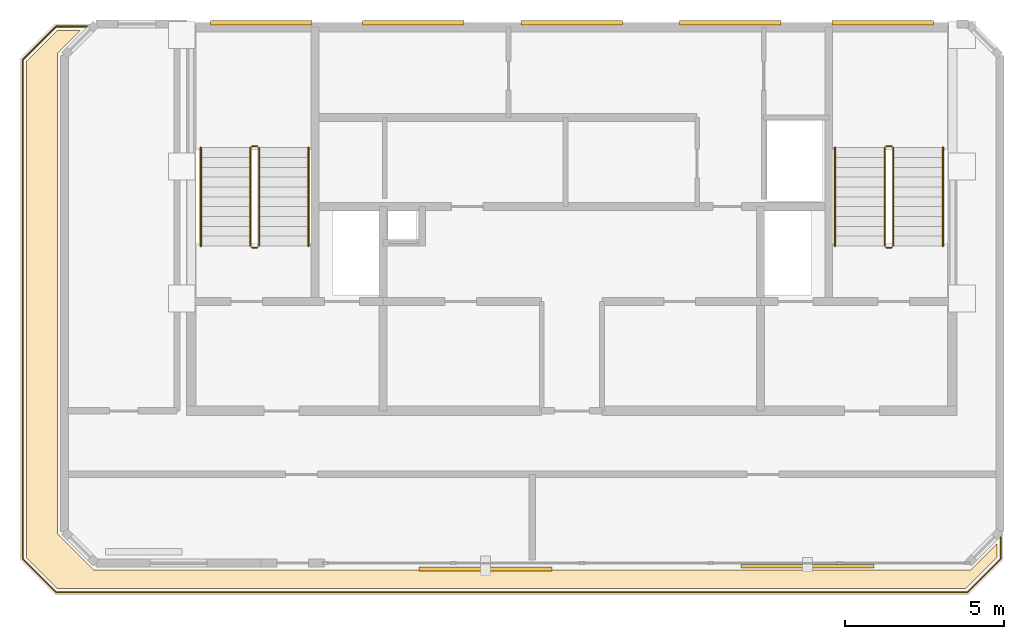
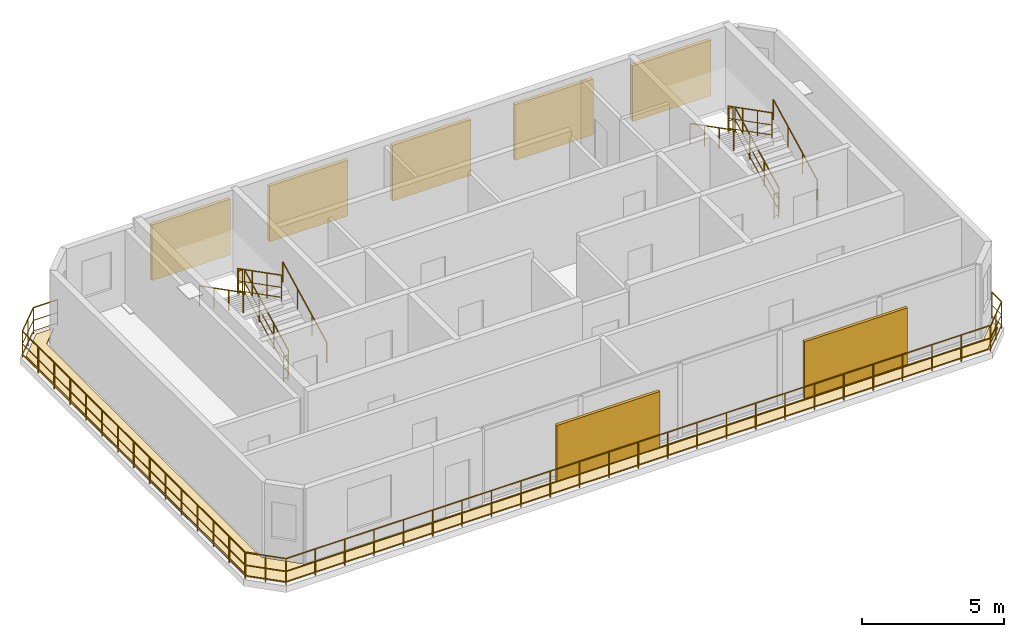
# One storey, part 6 of 6: 14 railings, 7 shading devices, 1 covering.
"""IFC4 building model written with IfcOpenShell, lengths in metres."""

import ifcopenshell
import ifcopenshell.guid

model = None  # the IFC model being written
_history = None  # IfcOwnerHistory: only IFC2X3 demands one
_inside = {}  # id of a spatial element -> (the spatial element, [elements in it])
_under = {}  # id of a project, library or spatial element -> (it, [spatial elements below it])
_declared = {}  # id of a project -> (the project, [libraries it declares])
_typed = {}  # id of a type object -> (the type object, [elements of that type])
_made_of = {}  # id of a material, layer set ... -> (it, [elements and type objects made of it])


def new_model(schema):
    """Start an empty IFC model of exactly this schema.

    Asked for "IFC4X3", IfcOpenShell would pick the latest addendum, in which some entities
    have other attributes; the version numbers below select the first issue.
    IFC2X3 requires an IfcOwnerHistory on every rooted entity: one is made here for all.
    """
    global model, _history
    if schema == "IFC4X3":
        model = ifcopenshell.file(schema_version=(4, 3, 0, 0))
    else:
        model = ifcopenshell.file(schema=schema)
    _inside.clear()
    _under.clear()
    _declared.clear()
    _typed.clear()
    _made_of.clear()
    _history = None
    if model.schema == "IFC2X3":
        org = make("IfcOrganization", Name="unknown")
        user = make(
            "IfcPersonAndOrganization",
            ThePerson=make("IfcPerson", FamilyName="unknown"),
            TheOrganization=org,
        )
        app = make(
            "IfcApplication",
            ApplicationDeveloper=org,
            Version="unknown",
            ApplicationFullName="unknown",
            ApplicationIdentifier="unknown",
        )
        _history = make(
            "IfcOwnerHistory",
            OwningUser=user,
            OwningApplication=app,
            ChangeAction="ADDED",
            CreationDate=0,
        )
    return model


def make(cls, **values):
    """One entity of the class cls with the attributes given. An attribute that is None is left unset."""
    return model.create_entity(
        cls, **{name: value for name, value in values.items() if value is not None}
    )


def rooted(cls, **values):
    """An entity with a GlobalId (a new one), such as an element, a storey or a relation."""
    return make(cls, GlobalId=ifcopenshell.guid.new(), OwnerHistory=_history, **values)


def si_unit(unit_type, name, prefix=None):
    """IfcSIUnit, for example si_unit("LENGTHUNIT", "METRE", prefix="MILLI")."""
    return make("IfcSIUnit", UnitType=unit_type, Prefix=prefix, Name=name)


def assignment(units):
    """IfcUnitAssignment: the units of a project."""
    return None if units is None else make("IfcUnitAssignment", Units=units)


def point(xyz):
    """IfcCartesianPoint."""
    return None if xyz is None else make("IfcCartesianPoint", Coordinates=xyz)


def direction(xyz):
    """IfcDirection."""
    return None if xyz is None else make("IfcDirection", DirectionRatios=xyz)


def frame(location, z_axis=None, x_axis=None):
    """IfcAxis2Placement3D, a coordinate frame: its origin and axes. An axis left out is left unset."""
    return make(
        "IfcAxis2Placement3D",
        Location=point(location),
        Axis=direction(z_axis),
        RefDirection=direction(x_axis),
    )


def frame_2d(location, x_axis=None):
    """IfcAxis2Placement2D, a coordinate frame in the plane: its origin and x axis."""
    return make(
        "IfcAxis2Placement2D", Location=point(location), RefDirection=direction(x_axis)
    )


def origin():
    """The frame at (0, 0, 0) with its axes left unset."""
    return frame((0.0, 0.0, 0.0))


def origin_2d():
    """The frame at (0, 0) in the plane with its x axis left unset."""
    return frame_2d((0.0, 0.0))


def place(relative_to, where):
    """IfcLocalPlacement: puts the frame where relative to a parent placement (None: the world)."""
    return make(
        "IfcLocalPlacement", PlacementRelTo=relative_to, RelativePlacement=where
    )


def context(
    kind, dimensions, precision=None, world=None, true_north=None, identifier=None
):
    """IfcGeometricRepresentationContext, for example the 3D "Model" context."""
    return make(
        "IfcGeometricRepresentationContext",
        ContextIdentifier=identifier,
        ContextType=kind,
        CoordinateSpaceDimension=dimensions,
        Precision=precision,
        WorldCoordinateSystem=world,
        TrueNorth=true_north,
    )


def subcontext(parent, identifier, kind, view, scale=None):
    """IfcGeometricRepresentationSubContext, for example "Body" below "Model"."""
    return make(
        "IfcGeometricRepresentationSubContext",
        ContextIdentifier=identifier,
        ContextType=kind,
        ParentContext=parent,
        TargetScale=scale,
        TargetView=view,
    )


def project(units=None, contexts=None):
    """IfcProject with its units and contexts."""
    return rooted(
        "IfcProject",
        Name="project",
        RepresentationContexts=contexts,
        UnitsInContext=assignment(units),
    )


def spatial(cls, under=None, at=None, **own):
    """A site, building, storey or space (cls), placed at a placement, below another one or the project."""
    s = rooted(cls, ObjectPlacement=at, **own)
    if under is not None:
        _under.setdefault(under.id(), (under, []))[1].append(s)
    return s


def polyline(points):
    """IfcPolyline through the points."""
    return make("IfcPolyline", Points=[point(p) for p in points])


def profile(cls, at=None, kind="AREA", **sizes):
    """A parametric profile (cls). Its sizes go by their IFC names, for example OverallWidth=200.0."""
    return make(cls, ProfileType=kind, Position=at, **sizes)


def rectangle(**sizes):
    """IfcRectangleProfileDef."""
    return profile("IfcRectangleProfileDef", **sizes)


def circle(**sizes):
    """IfcCircleProfileDef."""
    return profile("IfcCircleProfileDef", **sizes)


def outline(outer, holes=None, kind="AREA"):
    """IfcArbitraryClosedProfileDef: a profile drawn as a closed curve; with holes, ...WithVoids."""
    if holes is None:
        return make("IfcArbitraryClosedProfileDef", ProfileType=kind, OuterCurve=outer)
    return make(
        "IfcArbitraryProfileDefWithVoids",
        ProfileType=kind,
        OuterCurve=outer,
        InnerCurves=holes,
    )


def extrude(swept, where, along, depth):
    """IfcExtrudedAreaSolid: the profile swept, set in the frame where, extruded along a direction by depth."""
    return make(
        "IfcExtrudedAreaSolid",
        SweptArea=swept,
        Position=where,
        ExtrudedDirection=direction(along),
        Depth=depth,
    )


def shape(context_of_items, identifier, shape_type, items):
    """IfcShapeRepresentation: the items that make up one representation, for example the "Body"."""
    return make(
        "IfcShapeRepresentation",
        ContextOfItems=context_of_items,
        RepresentationIdentifier=identifier,
        RepresentationType=shape_type,
        Items=items,
    )


def material(Name=None, Category=None):
    """IfcMaterial."""
    return make("IfcMaterial", Name=Name, Category=Category)


def layer(
    of_material, thickness, ventilated=None, Name=None, Category=None, Priority=None
):
    """IfcMaterialLayer: one layer of a wall or slab, of a material (None: an air gap)."""
    return make(
        "IfcMaterialLayer",
        Material=of_material,
        LayerThickness=thickness,
        IsVentilated=ventilated,
        Name=Name,
        Category=Category,
        Priority=Priority,
    )


def layer_set(layers, Name=None):
    """IfcMaterialLayerSet."""
    return make("IfcMaterialLayerSet", MaterialLayers=layers, LayerSetName=Name)


def made_of(thing, what):
    """Note that an element or type object is made of a material, layer set ...; save() writes the relation."""
    if what is not None:
        _made_of.setdefault(what.id(), (what, []))[1].append(thing)
    return thing


def type_object(cls, material=None, **own):
    """A type object (cls), such as IfcWallType, which elements share."""
    return made_of(rooted(cls, **own), material)


def element(
    cls,
    number,
    at=None,
    inside=None,
    cuts=None,
    type_object=None,
    material=None,
    context=None,
    identifier="Body",
    shape_type=None,
    held_by="IfcProductDefinitionShape",
    body=None,
    shapes=None,
    **own,
):
    """One element of the class cls, such as IfcWall. Its Tag is "e" and its number.

    at: its placement. inside: the storey or other place that contains it. cuts: it is an
    opening in that element (IfcRelVoidsElement). A single representation is given by context,
    identifier, shape_type and body (its items); several are given by shapes. held_by: the class
    of the entity that holds the representations. save() writes the other relations.
    """
    e = rooted(cls, Tag="e%d" % number, ObjectPlacement=at, **own)
    if body is not None:
        shapes = [shape(context, identifier, shape_type, body)]
    if shapes is not None:
        e.Representation = make(held_by, Representations=shapes)
    if inside is not None:
        _inside.setdefault(inside.id(), (inside, []))[1].append(e)
    if cuts is not None:
        rooted(
            "IfcRelVoidsElement", RelatingBuildingElement=cuts, RelatedOpeningElement=e
        )
    if type_object is not None:
        _typed.setdefault(type_object.id(), (type_object, []))[1].append(e)
    return made_of(e, material)


def aggregate(whole, parts):
    """IfcRelAggregates: a whole, such as a stair, and the parts it consists of."""
    return rooted("IfcRelAggregates", RelatingObject=whole, RelatedObjects=parts)


def save(model, path):
    """Write the relations noted so far, then the file.

    IfcRelAggregates (storeys below a building ...), IfcRelContainedInSpatialStructure (elements
    in a storey), IfcRelDefinesByType, IfcRelAssociatesMaterial and IfcRelDeclares: one each for
    every whole, place, type object, material and project.
    """
    for whole, parts in _under.values():
        aggregate(whole, parts)
    for where, things in _inside.values():
        rooted(
            "IfcRelContainedInSpatialStructure",
            RelatedElements=things,
            RelatingStructure=where,
        )
    for kind, things in _typed.values():
        rooted("IfcRelDefinesByType", RelatedObjects=things, RelatingType=kind)
    for what, things in _made_of.values():
        rooted("IfcRelAssociatesMaterial", RelatedObjects=things, RelatingMaterial=what)
    for by, libraries in _declared.values():
        rooted("IfcRelDeclares", RelatingContext=by, RelatedDefinitions=libraries)
    model.write(path)


model = new_model("IFC4")

# Units and contexts
model_context = context("Model", 3, precision=1e-05, world=origin(), true_north=direction((0.0, 1.0)))
body_context = subcontext(model_context, "Body", "Model", "MODEL_VIEW")
ifc_project = project(units=[si_unit("LENGTHUNIT", "METRE"), si_unit("AREAUNIT", "SQUARE_METRE"), si_unit("VOLUMEUNIT", "CUBIC_METRE"), si_unit("PLANEANGLEUNIT", "RADIAN"), si_unit("MASSUNIT", "GRAM", prefix="KILO")], contexts=[model_context])

# Site, building, storey
site_placement = place(None, origin())
site = spatial("IfcSite", under=ifc_project, at=site_placement, CompositionType="ELEMENT")
building_placement = place(site_placement, origin())
building = spatial("IfcBuilding", under=site, at=building_placement, Name="Catumbela Crestline Tower", CompositionType="ELEMENT")
storey_placement = place(building_placement, frame((0.0, 0.0, 304.5)))
storey = spatial("IfcBuildingStorey", under=building, at=storey_placement, Name="L78", CompositionType="ELEMENT", Elevation=304.5)

# Covering
ifc_material_1 = material(Name="Polymer-modified bitumen and XPS roof membrane")
ifc_layer = layer(ifc_material_1, 0.05, Name="Polymer-modified bitumen and XPS roof membrane")
ifc_layer_set = layer_set([ifc_layer], Name="Polymer-modified bitumen and XPS roof membrane")
covering_type = type_object("IfcCoveringType", Name="CR-MEM", PredefinedType="ROOFING", material=ifc_layer_set)
covering_placement = place(storey_placement, origin())
element("IfcCovering", 1, at=covering_placement, inside=storey, type_object=covering_type, Name="L78 Crown Terrace Waterproofing Membrane 2", PredefinedType="ROOFING", context=body_context, shape_type="SweptSolid", body=[
    extrude(outline(polyline([(41.4, 26.1828), (40.4172, 25.2), (11.7828, 25.2), (10.8, 26.1828), (10.8, 41.8172), (11.7828, 42.8), (12.503, 42.8), (11.79, 42.087), (11.79, 26.913), (12.913, 25.79), (40.587, 25.79), (41.4, 26.603), (41.4, 26.1828)])), origin(), (0.0, 0.0, 1.0), 0.05),
])

# Railings
ifc_material_2 = material(Name="Stainless steel EN 1.4401", Category="steel")
railing_type_1 = type_object("IfcRailingType", Name="RG-1100", PredefinedType="GUARDRAIL", material=ifc_material_2)
railing_1_placement = place(storey_placement, frame((18.14, 36.0, 0.1591)))
element("IfcRailing", 2, at=railing_1_placement, inside=storey, type_object=railing_type_1, Name="L78 ST-01 stair guard 1", PredefinedType="GUARDRAIL", context=body_context, shape_type="SweptSolid", body=[
    extrude(circle(Radius=0.024, at=origin_2d()), frame((0.0, 0.0, 1.076), z_axis=(0.0, 0.889682666616, 0.456579404619), x_axis=(-1.0, 0.0, 0.0)), (0.0, 0.0, 1.0), 3.4844),
    extrude(circle(Radius=0.0156, at=origin_2d()), frame((0.0, 0.0, 0.55), z_axis=(0.0, 0.889682666616, 0.456579404619), x_axis=(-1.0, 0.0, 0.0)), (0.0, 0.0, 1.0), 3.4844),
    extrude(circle(Radius=0.0156, at=origin_2d()), frame((0.0, 0.0, 0.12), z_axis=(0.0, 0.889682666616, 0.456579404619), x_axis=(-1.0, 0.0, 0.0)), (0.0, 0.0, 1.0), 3.4844),
    extrude(circle(Radius=0.021, at=origin_2d()), origin(), (0.0, 0.0, 1.0), 1.052),
    extrude(circle(Radius=0.021, at=origin_2d()), frame((0.0, 1.0333, 0.5303)), (0.0, 0.0, 1.0), 1.052),
    extrude(circle(Radius=0.021, at=origin_2d()), frame((0.0, 2.0667, 1.0606)), (0.0, 0.0, 1.0), 1.052),
    extrude(circle(Radius=0.021, at=origin_2d()), frame((0.0, 3.1, 1.5909)), (0.0, 0.0, 1.0), 1.052),
])
railing_2_placement = place(storey_placement, frame((18.09, 39.15, 1.75)))
element("IfcRailing", 3, at=railing_2_placement, inside=storey, type_object=railing_type_1, Name="L78 ST-01 stair guard 2", PredefinedType="GUARDRAIL", context=body_context, shape_type="SweptSolid", body=[
    extrude(circle(Radius=0.024, at=origin_2d()), frame((0.0, 0.0, 1.076), z_axis=(-1.0, 0.0, 0.0), x_axis=(0.0, -1.0, 0.0)), (0.0, 0.0, 1.0), 0.18),
    extrude(circle(Radius=0.0156, at=origin_2d()), frame((0.0, 0.0, 0.55), z_axis=(-1.0, 0.0, 0.0), x_axis=(0.0, -1.0, 0.0)), (0.0, 0.0, 1.0), 0.18),
    extrude(circle(Radius=0.0156, at=origin_2d()), frame((0.0, 0.0, 0.12), z_axis=(-1.0, 0.0, 0.0), x_axis=(0.0, -1.0, 0.0)), (0.0, 0.0, 1.0), 0.18),
    extrude(circle(Radius=0.021, at=origin_2d()), origin(), (0.0, 0.0, 1.0), 1.052),
    extrude(circle(Radius=0.021, at=origin_2d()), frame((-0.18, 0.0, 0.0)), (0.0, 0.0, 1.0), 1.052),
])
railing_3_placement = place(storey_placement, frame((17.86, 39.1, 1.9091)))
element("IfcRailing", 4, at=railing_3_placement, inside=storey, type_object=railing_type_1, Name="L78 ST-01 stair guard 3", PredefinedType="GUARDRAIL", context=body_context, shape_type="SweptSolid", body=[
    extrude(circle(Radius=0.024, at=origin_2d()), frame((0.0, 0.0, 1.076), z_axis=(0.0, -0.889682666616, 0.456579404619), x_axis=(1.0, 0.0, 0.0)), (0.0, 0.0, 1.0), 3.4844),
    extrude(circle(Radius=0.0156, at=origin_2d()), frame((0.0, 0.0, 0.55), z_axis=(0.0, -0.889682666616, 0.456579404619), x_axis=(1.0, 0.0, 0.0)), (0.0, 0.0, 1.0), 3.4844),
    extrude(circle(Radius=0.0156, at=origin_2d()), frame((0.0, 0.0, 0.12), z_axis=(0.0, -0.889682666616, 0.456579404619), x_axis=(1.0, 0.0, 0.0)), (0.0, 0.0, 1.0), 3.4844),
    extrude(circle(Radius=0.021, at=origin_2d()), origin(), (0.0, 0.0, 1.0), 1.052),
    extrude(circle(Radius=0.021, at=origin_2d()), frame((0.0, -1.0333, 0.5303)), (0.0, 0.0, 1.0), 1.052),
    extrude(circle(Radius=0.021, at=origin_2d()), frame((0.0, -2.0667, 1.0606)), (0.0, 0.0, 1.0), 1.052),
    extrude(circle(Radius=0.021, at=origin_2d()), frame((0.0, -3.1, 1.5909)), (0.0, 0.0, 1.0), 1.052),
])
railing_4_placement = place(storey_placement, frame((18.09, 35.95, 0.0)))
element("IfcRailing", 5, at=railing_4_placement, inside=storey, type_object=railing_type_1, Name="L78 ST-01 stair guard 4", PredefinedType="GUARDRAIL", context=body_context, shape_type="SweptSolid", body=[
    extrude(circle(Radius=0.024, at=origin_2d()), frame((0.0, 0.0, 1.076), z_axis=(-1.0, 0.0, 0.0), x_axis=(0.0, -1.0, 0.0)), (0.0, 0.0, 1.0), 0.18),
    extrude(circle(Radius=0.0156, at=origin_2d()), frame((0.0, 0.0, 0.55), z_axis=(-1.0, 0.0, 0.0), x_axis=(0.0, -1.0, 0.0)), (0.0, 0.0, 1.0), 0.18),
    extrude(circle(Radius=0.0156, at=origin_2d()), frame((0.0, 0.0, 0.12), z_axis=(-1.0, 0.0, 0.0), x_axis=(0.0, -1.0, 0.0)), (0.0, 0.0, 1.0), 0.18),
    extrude(circle(Radius=0.021, at=origin_2d()), origin(), (0.0, 0.0, 1.0), 1.052),
    extrude(circle(Radius=0.021, at=origin_2d()), frame((-0.18, 0.0, 0.0)), (0.0, 0.0, 1.0), 1.052),
])
railing_5_placement = place(storey_placement, frame((38.14, 36.0, 0.1591)))
element("IfcRailing", 6, at=railing_5_placement, inside=storey, type_object=railing_type_1, Name="L78 ST-02 stair guard 1", PredefinedType="GUARDRAIL", context=body_context, shape_type="SweptSolid", body=[
    extrude(circle(Radius=0.024, at=origin_2d()), frame((0.0, 0.0, 1.076), z_axis=(0.0, 0.889682666616, 0.456579404619), x_axis=(-1.0, 0.0, 0.0)), (0.0, 0.0, 1.0), 3.4844),
    extrude(circle(Radius=0.0156, at=origin_2d()), frame((0.0, 0.0, 0.55), z_axis=(0.0, 0.889682666616, 0.456579404619), x_axis=(-1.0, 0.0, 0.0)), (0.0, 0.0, 1.0), 3.4844),
    extrude(circle(Radius=0.0156, at=origin_2d()), frame((0.0, 0.0, 0.12), z_axis=(0.0, 0.889682666616, 0.456579404619), x_axis=(-1.0, 0.0, 0.0)), (0.0, 0.0, 1.0), 3.4844),
    extrude(circle(Radius=0.021, at=origin_2d()), origin(), (0.0, 0.0, 1.0), 1.052),
    extrude(circle(Radius=0.021, at=origin_2d()), frame((0.0, 1.0333, 0.5303)), (0.0, 0.0, 1.0), 1.052),
    extrude(circle(Radius=0.021, at=origin_2d()), frame((0.0, 2.0667, 1.0606)), (0.0, 0.0, 1.0), 1.052),
    extrude(circle(Radius=0.021, at=origin_2d()), frame((0.0, 3.1, 1.5909)), (0.0, 0.0, 1.0), 1.052),
])
railing_6_placement = place(storey_placement, frame((38.09, 39.15, 1.75)))
element("IfcRailing", 7, at=railing_6_placement, inside=storey, type_object=railing_type_1, Name="L78 ST-02 stair guard 2", PredefinedType="GUARDRAIL", context=body_context, shape_type="SweptSolid", body=[
    extrude(circle(Radius=0.024, at=origin_2d()), frame((0.0, 0.0, 1.076), z_axis=(-1.0, 0.0, 0.0), x_axis=(0.0, -1.0, 0.0)), (0.0, 0.0, 1.0), 0.18),
    extrude(circle(Radius=0.0156, at=origin_2d()), frame((0.0, 0.0, 0.55), z_axis=(-1.0, 0.0, 0.0), x_axis=(0.0, -1.0, 0.0)), (0.0, 0.0, 1.0), 0.18),
    extrude(circle(Radius=0.0156, at=origin_2d()), frame((0.0, 0.0, 0.12), z_axis=(-1.0, 0.0, 0.0), x_axis=(0.0, -1.0, 0.0)), (0.0, 0.0, 1.0), 0.18),
    extrude(circle(Radius=0.021, at=origin_2d()), origin(), (0.0, 0.0, 1.0), 1.052),
    extrude(circle(Radius=0.021, at=origin_2d()), frame((-0.18, 0.0, 0.0)), (0.0, 0.0, 1.0), 1.052),
])
railing_7_placement = place(storey_placement, frame((37.86, 39.1, 1.9091)))
element("IfcRailing", 8, at=railing_7_placement, inside=storey, type_object=railing_type_1, Name="L78 ST-02 stair guard 3", PredefinedType="GUARDRAIL", context=body_context, shape_type="SweptSolid", body=[
    extrude(circle(Radius=0.024, at=origin_2d()), frame((0.0, 0.0, 1.076), z_axis=(0.0, -0.889682666616, 0.456579404619), x_axis=(1.0, 0.0, 0.0)), (0.0, 0.0, 1.0), 3.4844),
    extrude(circle(Radius=0.0156, at=origin_2d()), frame((0.0, 0.0, 0.55), z_axis=(0.0, -0.889682666616, 0.456579404619), x_axis=(1.0, 0.0, 0.0)), (0.0, 0.0, 1.0), 3.4844),
    extrude(circle(Radius=0.0156, at=origin_2d()), frame((0.0, 0.0, 0.12), z_axis=(0.0, -0.889682666616, 0.456579404619), x_axis=(1.0, 0.0, 0.0)), (0.0, 0.0, 1.0), 3.4844),
    extrude(circle(Radius=0.021, at=origin_2d()), origin(), (0.0, 0.0, 1.0), 1.052),
    extrude(circle(Radius=0.021, at=origin_2d()), frame((0.0, -1.0333, 0.5303)), (0.0, 0.0, 1.0), 1.052),
    extrude(circle(Radius=0.021, at=origin_2d()), frame((0.0, -2.0667, 1.0606)), (0.0, 0.0, 1.0), 1.052),
    extrude(circle(Radius=0.021, at=origin_2d()), frame((0.0, -3.1, 1.5909)), (0.0, 0.0, 1.0), 1.052),
])
railing_8_placement = place(storey_placement, frame((38.09, 35.95, 0.0)))
element("IfcRailing", 9, at=railing_8_placement, inside=storey, type_object=railing_type_1, Name="L78 ST-02 stair guard 4", PredefinedType="GUARDRAIL", context=body_context, shape_type="SweptSolid", body=[
    extrude(circle(Radius=0.024, at=origin_2d()), frame((0.0, 0.0, 1.076), z_axis=(-1.0, 0.0, 0.0), x_axis=(0.0, -1.0, 0.0)), (0.0, 0.0, 1.0), 0.18),
    extrude(circle(Radius=0.0156, at=origin_2d()), frame((0.0, 0.0, 0.55), z_axis=(-1.0, 0.0, 0.0), x_axis=(0.0, -1.0, 0.0)), (0.0, 0.0, 1.0), 0.18),
    extrude(circle(Radius=0.0156, at=origin_2d()), frame((0.0, 0.0, 0.12), z_axis=(-1.0, 0.0, 0.0), x_axis=(0.0, -1.0, 0.0)), (0.0, 0.0, 1.0), 0.18),
    extrude(circle(Radius=0.021, at=origin_2d()), origin(), (0.0, 0.0, 1.0), 1.052),
    extrude(circle(Radius=0.021, at=origin_2d()), frame((-0.18, 0.0, 0.0)), (0.0, 0.0, 1.0), 1.052),
])
railing_type_2 = type_object("IfcRailingType", Name="RH-0900", PredefinedType="HANDRAIL", material=ifc_material_2)
railing_9_placement = place(storey_placement, frame((19.7, 36.0, 0.1591)))
element("IfcRailing", 10, at=railing_9_placement, inside=storey, type_object=railing_type_2, Name="L78 ST-01 stair handrail 1", PredefinedType="HANDRAIL", context=body_context, shape_type="SweptSolid", body=[
    extrude(circle(Radius=0.024, at=origin_2d()), frame((0.0, 0.0, 0.876), z_axis=(0.0, 0.889682666616, 0.456579404619), x_axis=(-1.0, 0.0, 0.0)), (0.0, 0.0, 1.0), 3.4844),
    extrude(circle(Radius=0.021, at=origin_2d()), origin(), (0.0, 0.0, 1.0), 0.852),
    extrude(circle(Radius=0.021, at=origin_2d()), frame((0.0, 1.0333, 0.5303)), (0.0, 0.0, 1.0), 0.852),
    extrude(circle(Radius=0.021, at=origin_2d()), frame((0.0, 2.0667, 1.0606)), (0.0, 0.0, 1.0), 0.852),
    extrude(circle(Radius=0.021, at=origin_2d()), frame((0.0, 3.1, 1.5909)), (0.0, 0.0, 1.0), 0.852),
])
railing_10_placement = place(storey_placement, frame((16.3, 39.1, 1.9091)))
element("IfcRailing", 11, at=railing_10_placement, inside=storey, type_object=railing_type_2, Name="L78 ST-01 stair handrail 2", PredefinedType="HANDRAIL", context=body_context, shape_type="SweptSolid", body=[
    extrude(circle(Radius=0.024, at=origin_2d()), frame((0.0, 0.0, 0.876), z_axis=(0.0, -0.889682666616, 0.456579404619), x_axis=(1.0, 0.0, 0.0)), (0.0, 0.0, 1.0), 3.4844),
    extrude(circle(Radius=0.021, at=origin_2d()), origin(), (0.0, 0.0, 1.0), 0.852),
    extrude(circle(Radius=0.021, at=origin_2d()), frame((0.0, -1.0333, 0.5303)), (0.0, 0.0, 1.0), 0.852),
    extrude(circle(Radius=0.021, at=origin_2d()), frame((0.0, -2.0667, 1.0606)), (0.0, 0.0, 1.0), 0.852),
    extrude(circle(Radius=0.021, at=origin_2d()), frame((0.0, -3.1, 1.5909)), (0.0, 0.0, 1.0), 0.852),
])
railing_11_placement = place(storey_placement, frame((39.7, 36.0, 0.1591)))
element("IfcRailing", 12, at=railing_11_placement, inside=storey, type_object=railing_type_2, Name="L78 ST-02 stair handrail 1", PredefinedType="HANDRAIL", context=body_context, shape_type="SweptSolid", body=[
    extrude(circle(Radius=0.024, at=origin_2d()), frame((0.0, 0.0, 0.876), z_axis=(0.0, 0.889682666616, 0.456579404619), x_axis=(-1.0, 0.0, 0.0)), (0.0, 0.0, 1.0), 3.4844),
    extrude(circle(Radius=0.021, at=origin_2d()), origin(), (0.0, 0.0, 1.0), 0.852),
    extrude(circle(Radius=0.021, at=origin_2d()), frame((0.0, 1.0333, 0.5303)), (0.0, 0.0, 1.0), 0.852),
    extrude(circle(Radius=0.021, at=origin_2d()), frame((0.0, 2.0667, 1.0606)), (0.0, 0.0, 1.0), 0.852),
    extrude(circle(Radius=0.021, at=origin_2d()), frame((0.0, 3.1, 1.5909)), (0.0, 0.0, 1.0), 0.852),
])
railing_12_placement = place(storey_placement, frame((36.3, 39.1, 1.9091)))
element("IfcRailing", 13, at=railing_12_placement, inside=storey, type_object=railing_type_2, Name="L78 ST-02 stair handrail 2", PredefinedType="HANDRAIL", context=body_context, shape_type="SweptSolid", body=[
    extrude(circle(Radius=0.024, at=origin_2d()), frame((0.0, 0.0, 0.876), z_axis=(0.0, -0.889682666616, 0.456579404619), x_axis=(1.0, 0.0, 0.0)), (0.0, 0.0, 1.0), 3.4844),
    extrude(circle(Radius=0.021, at=origin_2d()), origin(), (0.0, 0.0, 1.0), 0.852),
    extrude(circle(Radius=0.021, at=origin_2d()), frame((0.0, -1.0333, 0.5303)), (0.0, 0.0, 1.0), 0.852),
    extrude(circle(Radius=0.021, at=origin_2d()), frame((0.0, -2.0667, 1.0606)), (0.0, 0.0, 1.0), 0.852),
    extrude(circle(Radius=0.021, at=origin_2d()), frame((0.0, -3.1, 1.5909)), (0.0, 0.0, 1.0), 0.852),
])
railing_type_3 = type_object("IfcRailingType", Name="RT-1150", PredefinedType="BALUSTRADE", material=ifc_material_2)
railing_13_placement = place(storey_placement, frame((41.52, 26.1331, 0.0)))
element("IfcRailing", 14, at=railing_13_placement, inside=storey, type_object=railing_type_3, Name="L78 Stepped Terrace Balustrade 1-1", PredefinedType="BALUSTRADE", context=body_context, shape_type="SweptSolid", body=[
    extrude(circle(Radius=0.024, at=origin_2d()), frame((0.0, 0.0, 1.126), z_axis=(-0.707106781187, -0.707106781187, 0.0), x_axis=(0.707106781187, -0.707106781187, 0.0)), (0.0, 0.0, 1.0), 1.4893),
    extrude(circle(Radius=0.0156, at=origin_2d()), frame((0.0, 0.0, 0.575), z_axis=(-0.707106781187, -0.707106781187, 0.0), x_axis=(0.707106781187, -0.707106781187, 0.0)), (0.0, 0.0, 1.0), 1.4893),
    extrude(circle(Radius=0.0156, at=origin_2d()), frame((0.0, 0.0, 0.12), z_axis=(-0.707106781187, -0.707106781187, 0.0), x_axis=(0.707106781187, -0.707106781187, 0.0)), (0.0, 0.0, 1.0), 1.4893),
    extrude(circle(Radius=0.024, at=origin_2d()), frame((-1.0531, -1.0531, 1.126), z_axis=(-1.0, 0.0, 0.0), x_axis=(0.0, -1.0, 0.0)), (0.0, 0.0, 1.0), 28.7338),
    extrude(circle(Radius=0.0156, at=origin_2d()), frame((-1.0531, -1.0531, 0.575), z_axis=(-1.0, 0.0, 0.0), x_axis=(0.0, -1.0, 0.0)), (0.0, 0.0, 1.0), 28.7338),
    extrude(circle(Radius=0.0156, at=origin_2d()), frame((-1.0531, -1.0531, 0.12), z_axis=(-1.0, 0.0, 0.0), x_axis=(0.0, -1.0, 0.0)), (0.0, 0.0, 1.0), 28.7338),
    extrude(circle(Radius=0.024, at=origin_2d()), frame((-29.7869, -1.0531, 1.126), z_axis=(-0.707106781187, 0.707106781187, 0.0), x_axis=(-0.707106781187, -0.707106781187, 0.0)), (0.0, 0.0, 1.0), 1.4893),
    extrude(circle(Radius=0.0156, at=origin_2d()), frame((-29.7869, -1.0531, 0.575), z_axis=(-0.707106781187, 0.707106781187, 0.0), x_axis=(-0.707106781187, -0.707106781187, 0.0)), (0.0, 0.0, 1.0), 1.4893),
    extrude(circle(Radius=0.0156, at=origin_2d()), frame((-29.7869, -1.0531, 0.12), z_axis=(-0.707106781187, 0.707106781187, 0.0), x_axis=(-0.707106781187, -0.707106781187, 0.0)), (0.0, 0.0, 1.0), 1.4893),
    extrude(circle(Radius=0.024, at=origin_2d()), frame((-30.84, 0.0, 1.126), z_axis=(0.0, 1.0, 0.0), x_axis=(-1.0, 0.0, 0.0)), (0.0, 0.0, 1.0), 15.7338),
    extrude(circle(Radius=0.0156, at=origin_2d()), frame((-30.84, 0.0, 0.575), z_axis=(0.0, 1.0, 0.0), x_axis=(-1.0, 0.0, 0.0)), (0.0, 0.0, 1.0), 15.7338),
    extrude(circle(Radius=0.0156, at=origin_2d()), frame((-30.84, 0.0, 0.12), z_axis=(0.0, 1.0, 0.0), x_axis=(-1.0, 0.0, 0.0)), (0.0, 0.0, 1.0), 15.7338),
    extrude(circle(Radius=0.024, at=origin_2d()), frame((-30.84, 15.7338, 1.126), z_axis=(0.707106781187, 0.707106781187, 0.0), x_axis=(-0.707106781187, 0.707106781187, 0.0)), (0.0, 0.0, 1.0), 1.4893),
    extrude(circle(Radius=0.0156, at=origin_2d()), frame((-30.84, 15.7338, 0.575), z_axis=(0.707106781187, 0.707106781187, 0.0), x_axis=(-0.707106781187, 0.707106781187, 0.0)), (0.0, 0.0, 1.0), 1.4893),
    extrude(circle(Radius=0.0156, at=origin_2d()), frame((-30.84, 15.7338, 0.12), z_axis=(0.707106781187, 0.707106781187, 0.0), x_axis=(-0.707106781187, 0.707106781187, 0.0)), (0.0, 0.0, 1.0), 1.4893),
    extrude(circle(Radius=0.024, at=origin_2d()), frame((-29.7869, 16.7869, 1.126), z_axis=(1.0, 0.0, 0.0), x_axis=(0.0, 1.0, 0.0)), (0.0, 0.0, 1.0), 0.9889),
    extrude(circle(Radius=0.0156, at=origin_2d()), frame((-29.7869, 16.7869, 0.575), z_axis=(1.0, 0.0, 0.0), x_axis=(0.0, 1.0, 0.0)), (0.0, 0.0, 1.0), 0.9889),
    extrude(circle(Radius=0.0156, at=origin_2d()), frame((-29.7869, 16.7869, 0.12), z_axis=(1.0, 0.0, 0.0), x_axis=(0.0, 1.0, 0.0)), (0.0, 0.0, 1.0), 0.9889),
    extrude(circle(Radius=0.021, at=origin_2d()), origin(), (0.0, 0.0, 1.0), 1.102),
    extrude(circle(Radius=0.021, at=origin_2d()), frame((-0.5266, -0.5266, 0.0)), (0.0, 0.0, 1.0), 1.102),
    extrude(circle(Radius=0.021, at=origin_2d()), frame((-1.0531, -1.0531, 0.0)), (0.0, 0.0, 1.0), 1.102),
    extrude(circle(Radius=0.021, at=origin_2d()), frame((-2.2503, -1.0531, 0.0)), (0.0, 0.0, 1.0), 1.102),
    extrude(circle(Radius=0.021, at=origin_2d()), frame((-3.4476, -1.0531, 0.0)), (0.0, 0.0, 1.0), 1.102),
    extrude(circle(Radius=0.021, at=origin_2d()), frame((-4.6448, -1.0531, 0.0)), (0.0, 0.0, 1.0), 1.102),
    extrude(circle(Radius=0.021, at=origin_2d()), frame((-5.8421, -1.0531, 0.0)), (0.0, 0.0, 1.0), 1.102),
    extrude(circle(Radius=0.021, at=origin_2d()), frame((-7.0393, -1.0531, 0.0)), (0.0, 0.0, 1.0), 1.102),
    extrude(circle(Radius=0.021, at=origin_2d()), frame((-8.2366, -1.0531, 0.0)), (0.0, 0.0, 1.0), 1.102),
    extrude(circle(Radius=0.021, at=origin_2d()), frame((-9.4338, -1.0531, 0.0)), (0.0, 0.0, 1.0), 1.102),
    extrude(circle(Radius=0.021, at=origin_2d()), frame((-10.631, -1.0531, 0.0)), (0.0, 0.0, 1.0), 1.102),
    extrude(circle(Radius=0.021, at=origin_2d()), frame((-11.8283, -1.0531, 0.0)), (0.0, 0.0, 1.0), 1.102),
    extrude(circle(Radius=0.021, at=origin_2d()), frame((-13.0255, -1.0531, 0.0)), (0.0, 0.0, 1.0), 1.102),
    extrude(circle(Radius=0.021, at=origin_2d()), frame((-14.2228, -1.0531, 0.0)), (0.0, 0.0, 1.0), 1.102),
    extrude(circle(Radius=0.021, at=origin_2d()), frame((-15.42, -1.0531, 0.0)), (0.0, 0.0, 1.0), 1.102),
    extrude(circle(Radius=0.021, at=origin_2d()), frame((-16.6172, -1.0531, 0.0)), (0.0, 0.0, 1.0), 1.102),
    extrude(circle(Radius=0.021, at=origin_2d()), frame((-17.8145, -1.0531, 0.0)), (0.0, 0.0, 1.0), 1.102),
    extrude(circle(Radius=0.021, at=origin_2d()), frame((-19.0117, -1.0531, 0.0)), (0.0, 0.0, 1.0), 1.102),
    extrude(circle(Radius=0.021, at=origin_2d()), frame((-20.209, -1.0531, 0.0)), (0.0, 0.0, 1.0), 1.102),
    extrude(circle(Radius=0.021, at=origin_2d()), frame((-21.4062, -1.0531, 0.0)), (0.0, 0.0, 1.0), 1.102),
    extrude(circle(Radius=0.021, at=origin_2d()), frame((-22.6035, -1.0531, 0.0)), (0.0, 0.0, 1.0), 1.102),
    extrude(circle(Radius=0.021, at=origin_2d()), frame((-23.8007, -1.0531, 0.0)), (0.0, 0.0, 1.0), 1.102),
    extrude(circle(Radius=0.021, at=origin_2d()), frame((-24.9979, -1.0531, 0.0)), (0.0, 0.0, 1.0), 1.102),
    extrude(circle(Radius=0.021, at=origin_2d()), frame((-26.1952, -1.0531, 0.0)), (0.0, 0.0, 1.0), 1.102),
    extrude(circle(Radius=0.021, at=origin_2d()), frame((-27.3924, -1.0531, 0.0)), (0.0, 0.0, 1.0), 1.102),
    extrude(circle(Radius=0.021, at=origin_2d()), frame((-28.5897, -1.0531, 0.0)), (0.0, 0.0, 1.0), 1.102),
    extrude(circle(Radius=0.021, at=origin_2d()), frame((-29.7869, -1.0531, 0.0)), (0.0, 0.0, 1.0), 1.102),
    extrude(circle(Radius=0.021, at=origin_2d()), frame((-30.3135, -0.5266, 0.0)), (0.0, 0.0, 1.0), 1.102),
    extrude(circle(Radius=0.021, at=origin_2d()), frame((-30.84, 0.0, 0.0)), (0.0, 0.0, 1.0), 1.102),
    extrude(circle(Radius=0.021, at=origin_2d()), frame((-30.84, 1.1238, 0.0)), (0.0, 0.0, 1.0), 1.102),
    extrude(circle(Radius=0.021, at=origin_2d()), frame((-30.84, 2.2477, 0.0)), (0.0, 0.0, 1.0), 1.102),
    extrude(circle(Radius=0.021, at=origin_2d()), frame((-30.84, 3.3715, 0.0)), (0.0, 0.0, 1.0), 1.102),
    extrude(circle(Radius=0.021, at=origin_2d()), frame((-30.84, 4.4954, 0.0)), (0.0, 0.0, 1.0), 1.102),
    extrude(circle(Radius=0.021, at=origin_2d()), frame((-30.84, 5.6192, 0.0)), (0.0, 0.0, 1.0), 1.102),
    extrude(circle(Radius=0.021, at=origin_2d()), frame((-30.84, 6.7431, 0.0)), (0.0, 0.0, 1.0), 1.102),
    extrude(circle(Radius=0.021, at=origin_2d()), frame((-30.84, 7.8669, 0.0)), (0.0, 0.0, 1.0), 1.102),
    extrude(circle(Radius=0.021, at=origin_2d()), frame((-30.84, 8.9907, 0.0)), (0.0, 0.0, 1.0), 1.102),
    extrude(circle(Radius=0.021, at=origin_2d()), frame((-30.84, 10.1146, 0.0)), (0.0, 0.0, 1.0), 1.102),
    extrude(circle(Radius=0.021, at=origin_2d()), frame((-30.84, 11.2384, 0.0)), (0.0, 0.0, 1.0), 1.102),
    extrude(circle(Radius=0.021, at=origin_2d()), frame((-30.84, 12.3623, 0.0)), (0.0, 0.0, 1.0), 1.102),
    extrude(circle(Radius=0.021, at=origin_2d()), frame((-30.84, 13.4861, 0.0)), (0.0, 0.0, 1.0), 1.102),
    extrude(circle(Radius=0.021, at=origin_2d()), frame((-30.84, 14.61, 0.0)), (0.0, 0.0, 1.0), 1.102),
    extrude(circle(Radius=0.021, at=origin_2d()), frame((-30.84, 15.7338, 0.0)), (0.0, 0.0, 1.0), 1.102),
    extrude(circle(Radius=0.021, at=origin_2d()), frame((-30.3135, 16.2604, 0.0)), (0.0, 0.0, 1.0), 1.102),
    extrude(circle(Radius=0.021, at=origin_2d()), frame((-29.7869, 16.7869, 0.0)), (0.0, 0.0, 1.0), 1.102),
    extrude(circle(Radius=0.021, at=origin_2d()), frame((-28.798, 16.7869, 0.0)), (0.0, 0.0, 1.0), 1.102),
])
railing_14_placement = place(storey_placement, frame((41.52, 26.822, 0.0)))
element("IfcRailing", 15, at=railing_14_placement, inside=storey, type_object=railing_type_3, Name="L78 Stepped Terrace Balustrade 1-2", PredefinedType="BALUSTRADE", context=body_context, shape_type="SweptSolid", body=[
    extrude(circle(Radius=0.024, at=origin_2d()), frame((0.0, 0.0, 1.126), z_axis=(0.0, -1.0, 0.0), x_axis=(1.0, 0.0, 0.0)), (0.0, 0.0, 1.0), 0.6889),
    extrude(circle(Radius=0.0156, at=origin_2d()), frame((0.0, 0.0, 0.575), z_axis=(0.0, -1.0, 0.0), x_axis=(1.0, 0.0, 0.0)), (0.0, 0.0, 1.0), 0.6889),
    extrude(circle(Radius=0.0156, at=origin_2d()), frame((0.0, 0.0, 0.12), z_axis=(0.0, -1.0, 0.0), x_axis=(1.0, 0.0, 0.0)), (0.0, 0.0, 1.0), 0.6889),
    extrude(circle(Radius=0.021, at=origin_2d()), origin(), (0.0, 0.0, 1.0), 1.102),
    extrude(circle(Radius=0.021, at=origin_2d()), frame((0.0, -0.6889, 0.0)), (0.0, 0.0, 1.0), 1.102),
])

# Shading devices
ifc_material_3 = material(Name="Extruded terracotta ceramic", Category="masonry")
shading_device_type_1 = type_object("IfcShadingDeviceType", Name="ST-180", PredefinedType="USERDEFINED", material=ifc_material_3)
shading_device_1_placement = place(storey_placement, frame((23.0, 43.04, 0.55), z_axis=(0.0, 0.0, 1.0), x_axis=(1.0, 0.0, 0.0)))
element("IfcShadingDevice", 16, at=shading_device_1_placement, inside=storey, type_object=shading_device_type_1, Name="L78 Rear Core Terracotta Brise-Soleil Screen 943", ObjectType="SCREEN", PredefinedType="USERDEFINED", context=body_context, shape_type="SweptSolid", body=[
    extrude(rectangle(XDim=3.2, YDim=0.14, at=origin_2d()), origin(), (0.0, 0.0, 1.0), 2.4),
])
shading_device_2_placement = place(storey_placement, frame((35.425, 25.901, -0.1), z_axis=(0.0, 0.0, 1.0), x_axis=(1.0, 0.0, 0.0)))
element("IfcShadingDevice", 17, at=shading_device_2_placement, inside=storey, type_object=shading_device_type_1, Name="L78 Perforated Terracotta Solar Screen 948 (180 mm)", ObjectType="SCREEN", PredefinedType="USERDEFINED", context=body_context, shape_type="SweptSolid", body=[
    extrude(rectangle(XDim=4.2, YDim=0.12, at=origin_2d()), origin(), (0.0, 0.0, 1.0), 2.55),
])
shading_device_type_2 = type_object("IfcShadingDeviceType", Name="ST-260", PredefinedType="USERDEFINED", material=ifc_material_3)
for number, where, z_axis, x_axis, name in (
    (18, (18.2, 43.04, 0.55), (0.0, 0.0, 1.0), (1.0, 0.0, 0.0), "L78 Rear Core Terracotta Brise-Soleil Screen 942"),
    (19, (33.0, 43.04, 0.55), (0.0, 0.0, 1.0), (1.0, 0.0, 0.0), "L78 Rear Core Terracotta Brise-Soleil Screen 945"),
):
    element("IfcShadingDevice", number, at=place(storey_placement, frame(where, z_axis=z_axis, x_axis=x_axis)), inside=storey, type_object=shading_device_type_2, Name=name, ObjectType="SCREEN", PredefinedType="USERDEFINED", context=body_context, shape_type="SweptSolid", body=[
        extrude(rectangle(XDim=3.2, YDim=0.14, at=origin_2d()), origin(), (0.0, 0.0, 1.0), 2.4),
    ])
shading_device_type_3 = type_object("IfcShadingDeviceType", Name="ST-340", PredefinedType="USERDEFINED", material=ifc_material_3)
for number, where, z_axis, x_axis, name in (
    (20, (28.0, 43.04, 0.55), (0.0, 0.0, 1.0), (1.0, 0.0, 0.0), "L78 Rear Core Terracotta Brise-Soleil Screen 944"),
    (21, (37.8, 43.04, 0.55), (0.0, 0.0, 1.0), (1.0, 0.0, 0.0), "L78 Rear Core Terracotta Brise-Soleil Screen 946"),
):
    element("IfcShadingDevice", number, at=place(storey_placement, frame(where, z_axis=z_axis, x_axis=x_axis)), inside=storey, type_object=shading_device_type_3, Name=name, ObjectType="SCREEN", PredefinedType="USERDEFINED", context=body_context, shape_type="SweptSolid", body=[
        extrude(rectangle(XDim=3.2, YDim=0.14, at=origin_2d()), origin(), (0.0, 0.0, 1.0), 2.4),
    ])
shading_device_3_placement = place(storey_placement, frame((25.275, 25.813, -0.1), z_axis=(0.0, 0.0, 1.0), x_axis=(1.0, 0.0, 0.0)))
element("IfcShadingDevice", 22, at=shading_device_3_placement, inside=storey, type_object=shading_device_type_3, Name="L78 Perforated Terracotta Solar Screen 947 (340 mm)", ObjectType="SCREEN", PredefinedType="USERDEFINED", context=body_context, shape_type="SweptSolid", body=[
    extrude(rectangle(XDim=4.2, YDim=0.12, at=origin_2d()), origin(), (0.0, 0.0, 1.0), 2.55),
])

save(model, "model.ifc")
